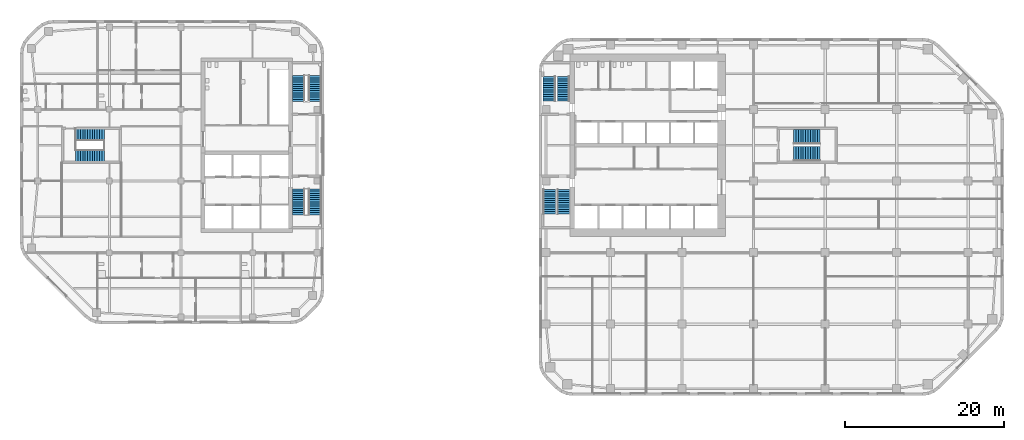
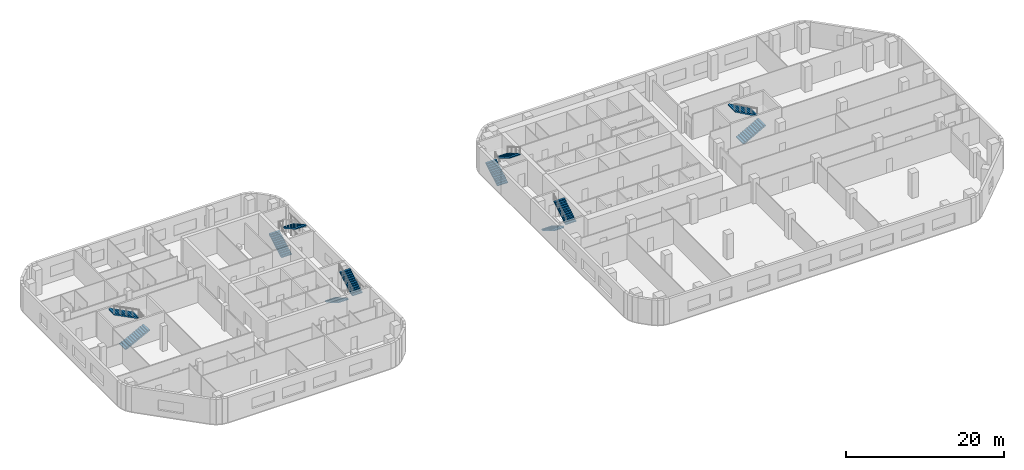
# One storey, part 13 of 16: 12 stair flights, 6 elements without a shape of their own.
"""IFC4 building model written with IfcOpenShell, lengths in metres."""

from ifc_helpers import new_model, si_unit, direction, frame, origin, place, context, subcontext, project, spatial, polyline, outline, extrude, material, type_object, element, aggregate, save


model = new_model("IFC4")

# Units and contexts
model_context = context("Model", 3, precision=1e-05, world=origin(), true_north=direction((0.0, 1.0)))
body_context = subcontext(model_context, "Body", "Model", "MODEL_VIEW")
ifc_project = project(units=[si_unit("LENGTHUNIT", "METRE"), si_unit("AREAUNIT", "SQUARE_METRE"), si_unit("VOLUMEUNIT", "CUBIC_METRE"), si_unit("PLANEANGLEUNIT", "RADIAN"), si_unit("MASSUNIT", "GRAM", prefix="KILO")], contexts=[model_context])

# Site, building, storey
site_placement = place(None, origin())
site = spatial("IfcSite", under=ifc_project, at=site_placement, CompositionType="ELEMENT")
building_placement = place(site_placement, origin())
building = spatial("IfcBuilding", under=site, at=building_placement, Name="Cinnabar Reach Civic Tower", CompositionType="ELEMENT")
storey_placement = place(building_placement, frame((0.0, 0.0, 79.0)))
storey = spatial("IfcBuildingStorey", under=building, at=storey_placement, Name="L18", CompositionType="ELEMENT", Elevation=79.0)

# Stair, stair flights
ifc_material_1 = material(Name="Concrete C40/50", Category="concrete")
stair_type_1 = type_object("IfcStairType", Name="T1 Exit stair, half-turn", PredefinedType="HALF_TURN_STAIR", material=ifc_material_1)
stair_1_placement = place(storey_placement, origin())
stair_1 = element("IfcStair", 1, at=stair_1_placement, inside=storey, type_object=stair_type_1, Name="Stair T1-S1", PredefinedType="HALF_TURN_STAIR")
stair_flight_type_1 = type_object("IfcStairFlightType", Name="T1 Stair flight, concrete", PredefinedType="STRAIGHT", material=ifc_material_1)
stair_flight_1_placement = place(storey_placement, frame((1.3125, 25.95, 0.0), z_axis=(0.0, 0.0, 1.0), x_axis=(0.0, -1.0, 0.0)))
stair_flight_1 = element("IfcStairFlight", 2, at=stair_flight_1_placement, type_object=stair_flight_type_1, Name="T1-S1 flight 1", NumberOfRisers=12, NumberOfTreads=11, PredefinedType="STRAIGHT", RiserHeight=0.166666667, TreadLength=0.28, context=body_context, shape_type="SweptSolid", body=[
    extrude(outline(polyline([(0.0, 0.0), (0.0, 0.1667), (0.28, 0.1667), (0.28, 0.3333), (0.56, 0.3333), (0.56, 0.5), (0.84, 0.5), (0.84, 0.6667), (1.12, 0.6667), (1.12, 0.8333), (1.4, 0.8333), (1.4, 1.0), (1.68, 1.0), (1.68, 1.1667), (1.96, 1.1667), (1.96, 1.3333), (2.24, 1.3333), (2.24, 1.5), (2.52, 1.5), (2.52, 1.6667), (2.8, 1.6667), (2.8, 1.8333), (3.08, 1.8333), (3.08, 2.0), (3.08, 1.6588), (0.2933, 0.0), (0.0, 0.0)])), frame((0.0, 0.7625, 0.0), z_axis=(0.0, -1.0, 0.0), x_axis=(1.0, 0.0, 0.0)), (0.0, 0.0, 1.0), 1.525),
])
stair_flight_2_placement = place(storey_placement, frame((3.0875, 22.87, 2.0), z_axis=(0.0, 0.0, 1.0), x_axis=(0.0, 1.0, 0.0)))
stair_flight_2 = element("IfcStairFlight", 3, at=stair_flight_2_placement, type_object=stair_flight_type_1, Name="T1-S1 flight 2", NumberOfRisers=12, NumberOfTreads=11, PredefinedType="STRAIGHT", RiserHeight=0.166666667, TreadLength=0.28, context=body_context, shape_type="SweptSolid", body=[
    extrude(outline(polyline([(0.0, 0.0), (0.0, 0.1667), (0.28, 0.1667), (0.28, 0.3333), (0.56, 0.3333), (0.56, 0.5), (0.84, 0.5), (0.84, 0.6667), (1.12, 0.6667), (1.12, 0.8333), (1.4, 0.8333), (1.4, 1.0), (1.68, 1.0), (1.68, 1.1667), (1.96, 1.1667), (1.96, 1.3333), (2.24, 1.3333), (2.24, 1.5), (2.52, 1.5), (2.52, 1.6667), (2.8, 1.6667), (2.8, 1.8333), (3.08, 1.8333), (3.08, 2.0), (3.08, 1.6588), (0.2933, 0.0), (0.0, 0.0)])), frame((0.0, 0.7625, 0.0), z_axis=(0.0, -1.0, 0.0), x_axis=(1.0, 0.0, 0.0)), (0.0, 0.0, 1.0), 1.525),
])
aggregate(stair_1, [stair_flight_1, stair_flight_2])

stair_2_placement = place(storey_placement, origin())
stair_2 = element("IfcStair", 4, at=stair_2_placement, inside=storey, type_object=stair_type_1, Name="Stair T1-S2", PredefinedType="HALF_TURN_STAIR")
stair_flight_3_placement = place(storey_placement, frame((1.3125, 37.05, 0.0), z_axis=(0.0, 0.0, 1.0), x_axis=(0.0, 1.0, 0.0)))
stair_flight_3 = element("IfcStairFlight", 5, at=stair_flight_3_placement, type_object=stair_flight_type_1, Name="T1-S2 flight 1", NumberOfRisers=12, NumberOfTreads=11, PredefinedType="STRAIGHT", RiserHeight=0.166666667, TreadLength=0.28, context=body_context, shape_type="SweptSolid", body=[
    extrude(outline(polyline([(0.0, 0.0), (0.0, 0.1667), (0.28, 0.1667), (0.28, 0.3333), (0.56, 0.3333), (0.56, 0.5), (0.84, 0.5), (0.84, 0.6667), (1.12, 0.6667), (1.12, 0.8333), (1.4, 0.8333), (1.4, 1.0), (1.68, 1.0), (1.68, 1.1667), (1.96, 1.1667), (1.96, 1.3333), (2.24, 1.3333), (2.24, 1.5), (2.52, 1.5), (2.52, 1.6667), (2.8, 1.6667), (2.8, 1.8333), (3.08, 1.8333), (3.08, 2.0), (3.08, 1.6588), (0.2933, 0.0), (0.0, 0.0)])), frame((0.0, 0.7625, 0.0), z_axis=(0.0, -1.0, 0.0), x_axis=(1.0, 0.0, 0.0)), (0.0, 0.0, 1.0), 1.525),
])
stair_flight_4_placement = place(storey_placement, frame((3.0875, 40.13, 2.0), z_axis=(0.0, 0.0, 1.0), x_axis=(0.0, -1.0, 0.0)))
stair_flight_4 = element("IfcStairFlight", 6, at=stair_flight_4_placement, type_object=stair_flight_type_1, Name="T1-S2 flight 2", NumberOfRisers=12, NumberOfTreads=11, PredefinedType="STRAIGHT", RiserHeight=0.166666667, TreadLength=0.28, context=body_context, shape_type="SweptSolid", body=[
    extrude(outline(polyline([(0.0, 0.0), (0.0, 0.1667), (0.28, 0.1667), (0.28, 0.3333), (0.56, 0.3333), (0.56, 0.5), (0.84, 0.5), (0.84, 0.6667), (1.12, 0.6667), (1.12, 0.8333), (1.4, 0.8333), (1.4, 1.0), (1.68, 1.0), (1.68, 1.1667), (1.96, 1.1667), (1.96, 1.3333), (2.24, 1.3333), (2.24, 1.5), (2.52, 1.5), (2.52, 1.6667), (2.8, 1.6667), (2.8, 1.8333), (3.08, 1.8333), (3.08, 2.0), (3.08, 1.6588), (0.2933, 0.0), (0.0, 0.0)])), frame((0.0, 0.7625, 0.0), z_axis=(0.0, -1.0, 0.0), x_axis=(1.0, 0.0, 0.0)), (0.0, 0.0, 1.0), 1.525),
])
aggregate(stair_2, [stair_flight_3, stair_flight_4])

stair_3_placement = place(storey_placement, origin())
stair_3 = element("IfcStair", 7, at=stair_3_placement, inside=storey, type_object=stair_type_1, Name="Stair T1-S3", PredefinedType="HALF_TURN_STAIR")
stair_flight_5_placement = place(storey_placement, frame((32.05, 30.45, 0.0), z_axis=(0.0, 0.0, 1.0), x_axis=(1.0, 0.0, 0.0)))
stair_flight_5 = element("IfcStairFlight", 8, at=stair_flight_5_placement, type_object=stair_flight_type_1, Name="T1-S3 flight 1", NumberOfRisers=12, NumberOfTreads=11, PredefinedType="STRAIGHT", RiserHeight=0.166666667, TreadLength=0.3, context=body_context, shape_type="SweptSolid", body=[
    extrude(outline(polyline([(0.0, 0.0), (0.0, 0.1667), (0.3, 0.1667), (0.3, 0.3333), (0.6, 0.3333), (0.6, 0.5), (0.9, 0.5), (0.9, 0.6667), (1.2, 0.6667), (1.2, 0.8333), (1.5, 0.8333), (1.5, 1.0), (1.8, 1.0), (1.8, 1.1667), (2.1, 1.1667), (2.1, 1.3333), (2.4, 1.3333), (2.4, 1.5), (2.7, 1.5), (2.7, 1.6667), (3.0, 1.6667), (3.0, 1.8333), (3.3, 1.8333), (3.3, 2.0), (3.3, 1.6617), (0.3089, 0.0), (0.0, 0.0)])), frame((0.0, 0.9, 0.0), z_axis=(0.0, -1.0, 0.0), x_axis=(1.0, 0.0, 0.0)), (0.0, 0.0, 1.0), 1.8),
])
stair_flight_6_placement = place(storey_placement, frame((35.35, 32.55, 2.0), z_axis=(0.0, 0.0, 1.0), x_axis=(-1.0, 0.0, 0.0)))
stair_flight_6 = element("IfcStairFlight", 9, at=stair_flight_6_placement, type_object=stair_flight_type_1, Name="T1-S3 flight 2", NumberOfRisers=12, NumberOfTreads=11, PredefinedType="STRAIGHT", RiserHeight=0.166666667, TreadLength=0.3, context=body_context, shape_type="SweptSolid", body=[
    extrude(outline(polyline([(0.0, 0.0), (0.0, 0.1667), (0.3, 0.1667), (0.3, 0.3333), (0.6, 0.3333), (0.6, 0.5), (0.9, 0.5), (0.9, 0.6667), (1.2, 0.6667), (1.2, 0.8333), (1.5, 0.8333), (1.5, 1.0), (1.8, 1.0), (1.8, 1.1667), (2.1, 1.1667), (2.1, 1.3333), (2.4, 1.3333), (2.4, 1.5), (2.7, 1.5), (2.7, 1.6667), (3.0, 1.6667), (3.0, 1.8333), (3.3, 1.8333), (3.3, 2.0), (3.3, 1.6617), (0.3089, 0.0), (0.0, 0.0)])), frame((0.0, 0.9, 0.0), z_axis=(0.0, -1.0, 0.0), x_axis=(1.0, 0.0, 0.0)), (0.0, 0.0, 1.0), 1.8),
])
aggregate(stair_3, [stair_flight_5, stair_flight_6])

ifc_material_2 = material(Name="Concrete C40", Category="concrete")
stair_type_2 = type_object("IfcStairType", Name="T2 Exit stair 1500", PredefinedType="HALF_TURN_STAIR", material=ifc_material_2)
stair_4_placement = place(storey_placement, origin())
stair_4 = element("IfcStair", 10, at=stair_4_placement, inside=storey, type_object=stair_type_2, Name="Exit stair 1", PredefinedType="HALF_TURN_STAIR")
stair_flight_type_2 = type_object("IfcStairFlightType", Name="T2 Stair flight 1500", PredefinedType="STRAIGHT", material=ifc_material_2)
stair_flight_7_placement = place(storey_placement, frame((-30.25, 26.0, 0.0), z_axis=(0.0, 0.0, 1.0), x_axis=(0.0, -1.0, 0.0)))
stair_flight_7 = element("IfcStairFlight", 11, at=stair_flight_7_placement, type_object=stair_flight_type_2, Name="ST1 flight 1", NumberOfRisers=13, NumberOfTreads=12, PredefinedType="STRAIGHT", RiserHeight=0.153846154, TreadLength=0.270833333, context=body_context, shape_type="SweptSolid", body=[
    extrude(outline(polyline([(0.0, 0.0), (0.0, 0.1538), (0.2708, 0.1538), (0.2708, 0.3077), (0.5417, 0.3077), (0.5417, 0.4615), (0.8125, 0.4615), (0.8125, 0.6154), (1.0833, 0.6154), (1.0833, 0.7692), (1.3542, 0.7692), (1.3542, 0.9231), (1.625, 0.9231), (1.625, 1.0769), (1.8958, 1.0769), (1.8958, 1.2308), (2.1667, 1.2308), (2.1667, 1.3846), (2.4375, 1.3846), (2.4375, 1.5385), (2.7083, 1.5385), (2.7083, 1.6923), (2.9792, 1.6923), (2.9792, 1.8462), (3.25, 1.8462), (3.25, 2.0), (3.25, 1.6736), (0.3037, 0.0), (0.0, 0.0)])), frame((0.0, 0.75, 0.0), z_axis=(0.0, -1.0, 0.0), x_axis=(1.0, 0.0, 0.0)), (0.0, 0.0, 1.0), 1.5),
])
stair_flight_8_placement = place(storey_placement, frame((-28.15, 22.75, 2.0), z_axis=(0.0, 0.0, 1.0), x_axis=(0.0, 1.0, 0.0)))
stair_flight_8 = element("IfcStairFlight", 12, at=stair_flight_8_placement, type_object=stair_flight_type_2, Name="ST1 flight 2", NumberOfRisers=13, NumberOfTreads=12, PredefinedType="STRAIGHT", RiserHeight=0.153846154, TreadLength=0.270833333, context=body_context, shape_type="SweptSolid", body=[
    extrude(outline(polyline([(0.0, 0.0), (0.0, 0.1538), (0.2708, 0.1538), (0.2708, 0.3077), (0.5417, 0.3077), (0.5417, 0.4615), (0.8125, 0.4615), (0.8125, 0.6154), (1.0833, 0.6154), (1.0833, 0.7692), (1.3542, 0.7692), (1.3542, 0.9231), (1.625, 0.9231), (1.625, 1.0769), (1.8958, 1.0769), (1.8958, 1.2308), (2.1667, 1.2308), (2.1667, 1.3846), (2.4375, 1.3846), (2.4375, 1.5385), (2.7083, 1.5385), (2.7083, 1.6923), (2.9792, 1.6923), (2.9792, 1.8462), (3.25, 1.8462), (3.25, 2.0), (3.25, 1.6736), (0.3037, 0.0), (0.0, 0.0)])), frame((0.0, 0.75, 0.0), z_axis=(0.0, -1.0, 0.0), x_axis=(1.0, 0.0, 0.0)), (0.0, 0.0, 1.0), 1.5),
])
aggregate(stair_4, [stair_flight_7, stair_flight_8])

stair_5_placement = place(storey_placement, origin())
stair_5 = element("IfcStair", 13, at=stair_5_placement, inside=storey, type_object=stair_type_2, Name="Exit stair 2", PredefinedType="HALF_TURN_STAIR")
stair_flight_9_placement = place(storey_placement, frame((-30.25, 37.0, 0.0), z_axis=(0.0, 0.0, 1.0), x_axis=(0.0, 1.0, 0.0)))
stair_flight_9 = element("IfcStairFlight", 14, at=stair_flight_9_placement, type_object=stair_flight_type_2, Name="ST2 flight 1", NumberOfRisers=13, NumberOfTreads=12, PredefinedType="STRAIGHT", RiserHeight=0.153846154, TreadLength=0.270833333, context=body_context, shape_type="SweptSolid", body=[
    extrude(outline(polyline([(0.0, 0.0), (0.0, 0.1538), (0.2708, 0.1538), (0.2708, 0.3077), (0.5417, 0.3077), (0.5417, 0.4615), (0.8125, 0.4615), (0.8125, 0.6154), (1.0833, 0.6154), (1.0833, 0.7692), (1.3542, 0.7692), (1.3542, 0.9231), (1.625, 0.9231), (1.625, 1.0769), (1.8958, 1.0769), (1.8958, 1.2308), (2.1667, 1.2308), (2.1667, 1.3846), (2.4375, 1.3846), (2.4375, 1.5385), (2.7083, 1.5385), (2.7083, 1.6923), (2.9792, 1.6923), (2.9792, 1.8462), (3.25, 1.8462), (3.25, 2.0), (3.25, 1.6736), (0.3037, 0.0), (0.0, 0.0)])), frame((0.0, 0.75, 0.0), z_axis=(0.0, -1.0, 0.0), x_axis=(1.0, 0.0, 0.0)), (0.0, 0.0, 1.0), 1.5),
])
stair_flight_10_placement = place(storey_placement, frame((-28.15, 40.25, 2.0), z_axis=(0.0, 0.0, 1.0), x_axis=(0.0, -1.0, 0.0)))
stair_flight_10 = element("IfcStairFlight", 15, at=stair_flight_10_placement, type_object=stair_flight_type_2, Name="ST2 flight 2", NumberOfRisers=13, NumberOfTreads=12, PredefinedType="STRAIGHT", RiserHeight=0.153846154, TreadLength=0.270833333, context=body_context, shape_type="SweptSolid", body=[
    extrude(outline(polyline([(0.0, 0.0), (0.0, 0.1538), (0.2708, 0.1538), (0.2708, 0.3077), (0.5417, 0.3077), (0.5417, 0.4615), (0.8125, 0.4615), (0.8125, 0.6154), (1.0833, 0.6154), (1.0833, 0.7692), (1.3542, 0.7692), (1.3542, 0.9231), (1.625, 0.9231), (1.625, 1.0769), (1.8958, 1.0769), (1.8958, 1.2308), (2.1667, 1.2308), (2.1667, 1.3846), (2.4375, 1.3846), (2.4375, 1.5385), (2.7083, 1.5385), (2.7083, 1.6923), (2.9792, 1.6923), (2.9792, 1.8462), (3.25, 1.8462), (3.25, 2.0), (3.25, 1.6736), (0.3037, 0.0), (0.0, 0.0)])), frame((0.0, 0.75, 0.0), z_axis=(0.0, -1.0, 0.0), x_axis=(1.0, 0.0, 0.0)), (0.0, 0.0, 1.0), 1.5),
])
aggregate(stair_5, [stair_flight_9, stair_flight_10])

stair_6_placement = place(storey_placement, origin())
stair_6 = element("IfcStair", 16, at=stair_6_placement, inside=storey, type_object=stair_type_2, Name="Exit stair 3", PredefinedType="HALF_TURN_STAIR")
stair_flight_11_placement = place(storey_placement, frame((-58.25, 30.125, 0.0), z_axis=(0.0, 0.0, 1.0), x_axis=(1.0, 0.0, 0.0)))
stair_flight_11 = element("IfcStairFlight", 17, at=stair_flight_11_placement, type_object=stair_flight_type_2, Name="ST3 flight 1", NumberOfRisers=13, NumberOfTreads=12, PredefinedType="STRAIGHT", RiserHeight=0.153846154, TreadLength=0.3, context=body_context, shape_type="SweptSolid", body=[
    extrude(outline(polyline([(0.0, 0.0), (0.0, 0.1538), (0.3, 0.1538), (0.3, 0.3077), (0.6, 0.3077), (0.6, 0.4615), (0.9, 0.4615), (0.9, 0.6154), (1.2, 0.6154), (1.2, 0.7692), (1.5, 0.7692), (1.5, 0.9231), (1.8, 0.9231), (1.8, 1.0769), (2.1, 1.0769), (2.1, 1.2308), (2.4, 1.2308), (2.4, 1.3846), (2.7, 1.3846), (2.7, 1.5385), (3.0, 1.5385), (3.0, 1.6923), (3.3, 1.6923), (3.3, 1.8462), (3.6, 1.8462), (3.6, 2.0), (3.6, 1.6776), (0.3287, 0.0), (0.0, 0.0)])), frame((0.0, 0.75, 0.0), z_axis=(0.0, -1.0, 0.0), x_axis=(1.0, 0.0, 0.0)), (0.0, 0.0, 1.0), 1.5),
])
stair_flight_12_placement = place(storey_placement, frame((-54.65, 32.875, 2.0), z_axis=(0.0, 0.0, 1.0), x_axis=(-1.0, 0.0, 0.0)))
stair_flight_12 = element("IfcStairFlight", 18, at=stair_flight_12_placement, type_object=stair_flight_type_2, Name="ST3 flight 2", NumberOfRisers=13, NumberOfTreads=12, PredefinedType="STRAIGHT", RiserHeight=0.153846154, TreadLength=0.3, context=body_context, shape_type="SweptSolid", body=[
    extrude(outline(polyline([(0.0, 0.0), (0.0, 0.1538), (0.3, 0.1538), (0.3, 0.3077), (0.6, 0.3077), (0.6, 0.4615), (0.9, 0.4615), (0.9, 0.6154), (1.2, 0.6154), (1.2, 0.7692), (1.5, 0.7692), (1.5, 0.9231), (1.8, 0.9231), (1.8, 1.0769), (2.1, 1.0769), (2.1, 1.2308), (2.4, 1.2308), (2.4, 1.3846), (2.7, 1.3846), (2.7, 1.5385), (3.0, 1.5385), (3.0, 1.6923), (3.3, 1.6923), (3.3, 1.8462), (3.6, 1.8462), (3.6, 2.0), (3.6, 1.6776), (0.3287, 0.0), (0.0, 0.0)])), frame((0.0, 0.75, 0.0), z_axis=(0.0, -1.0, 0.0), x_axis=(1.0, 0.0, 0.0)), (0.0, 0.0, 1.0), 1.5),
])
aggregate(stair_6, [stair_flight_11, stair_flight_12])

save(model, "model.ifc")
